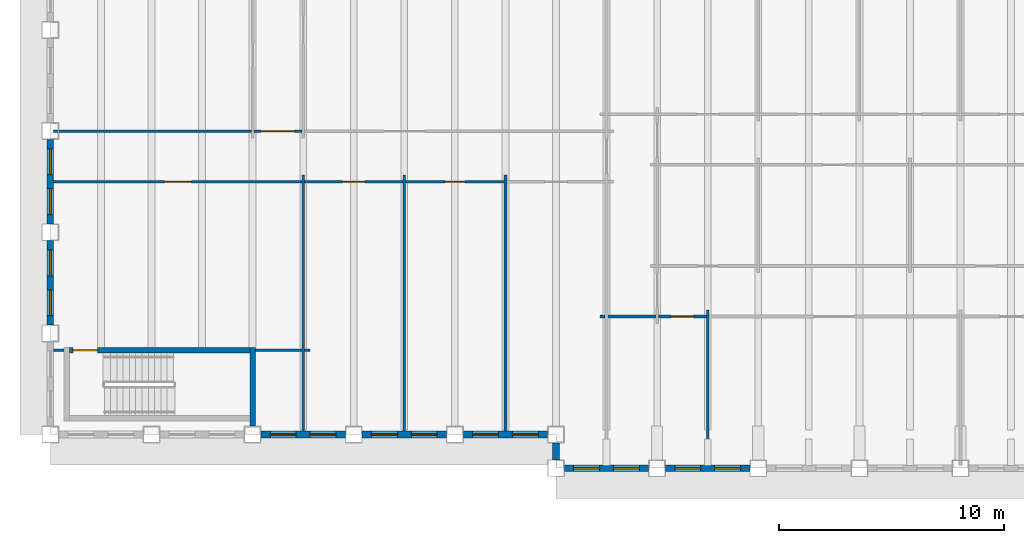
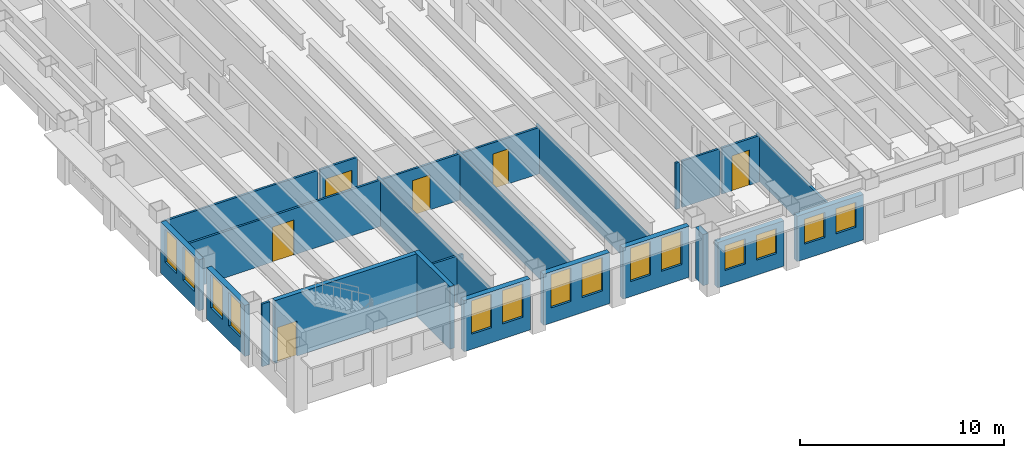
# One storey, part 3 of 16: 25 walls, 14 windows, 6 doors, 20 openings.
"""IFC4 building model written with IfcOpenShell, lengths in metres."""

from ifc_helpers import new_model, si_unit, direction, frame, frame_2d, origin, place, context, subcontext, project, spatial, rectangle, extrude, material, layer, layer_set, type_object, element, fill, save


model = new_model("IFC4")

# Units and contexts
model_context = context("Model", 3, precision=1e-05, world=origin(), true_north=direction((0.0, 1.0)))
body_context = subcontext(model_context, "Body", "Model", "MODEL_VIEW")
ifc_project = project(units=[si_unit("LENGTHUNIT", "METRE"), si_unit("AREAUNIT", "SQUARE_METRE"), si_unit("VOLUMEUNIT", "CUBIC_METRE"), si_unit("PLANEANGLEUNIT", "RADIAN"), si_unit("MASSUNIT", "GRAM", prefix="KILO")], contexts=[model_context])

# Site, building, storey
site_placement = place(None, origin())
site = spatial("IfcSite", under=ifc_project, at=site_placement, CompositionType="ELEMENT")
building_placement = place(site_placement, origin())
building = spatial("IfcBuilding", under=site, at=building_placement, Name="Sennacour Bend Tower", CompositionType="ELEMENT")
storey_placement = place(building_placement, frame((0.0, 0.0, 239.0)))
storey = spatial("IfcBuildingStorey", under=building, at=storey_placement, Name="L55", CompositionType="ELEMENT", Elevation=239.0)

# Walls
ifc_material_1 = material(Name="Plasterboard partition on steel studs", Category="steel")
ifc_layer_1 = layer(ifc_material_1, 0.1201171875, Name="Plasterboard partition on steel studs", Category="steel")
ifc_layer_set_1 = layer_set([ifc_layer_1], Name="Plasterboard partition on steel studs")
wall_type_1 = type_object("IfcWallType", Name="Partition 120", PredefinedType="PARTITIONING", material=ifc_layer_set_1)
for number, where, z_axis, x_axis, name in (
    (1, (11.25, 0.14990234375, 0.0), (0.0, 0.0, 1.0), (0.0, 1.0, 0.0), "P-L55-W012a"),
    (2, (15.75, 0.14990234375, 0.0), (0.0, 0.0, 1.0), (0.0, 1.0, 0.0), "P-L55-W017a"),
    (3, (20.25, 0.14990234375, 0.0), (0.0, 0.0, 1.0), (0.0, 1.0, 0.0), "P-L55-W021a"),
):
    element("IfcWall", number, at=place(storey_placement, frame(where, z_axis=z_axis, x_axis=x_axis)), inside=storey, type_object=wall_type_1, Name=name, PredefinedType="PARTITIONING", context=body_context, shape_type="SweptSolid", body=[
        extrude(rectangle(XDim=11.400146484375, YDim=0.1201171875, at=frame_2d((5.7001953125, 0.0))), origin(), (0.0, 0.0, 1.0), 2.77001953125),
    ])
wall_1_placement = place(storey_placement, frame((29.25, -1.35009765625, 0.0), z_axis=(0.0, 0.0, 1.0), x_axis=(0.0, 1.0, 0.0)))
element("IfcWall", 4, at=wall_1_placement, inside=storey, type_object=wall_type_1, Name="P-L55-W025a", PredefinedType="PARTITIONING", context=body_context, shape_type="SweptSolid", body=[
    extrude(rectangle(XDim=6.900146484375, YDim=0.1201171875, at=frame_2d((3.4501953125, 0.0))), origin(), (0.0, 0.0, 1.0), 2.719970703125),
])
wall_2_placement = place(storey_placement, frame((0.14990234375, 3.75, 0.0), z_axis=(0.0, 0.0, 1.0), x_axis=(1.0, 0.0, 0.0)))
element("IfcWall", 5, at=wall_2_placement, inside=storey, type_object=wall_type_1, Name="P-L55-W051a", PredefinedType="PARTITIONING", context=body_context, shape_type="SweptSolid", body=[
    extrude(rectangle(XDim=0.4501953125, YDim=0.1201171875, at=frame_2d((0.22509765625, 0.0))), origin(), (0.0, 0.0, 1.0), 3.75),
])
wall_3_placement = place(storey_placement, frame((9.125, 3.75, 0.0), z_axis=(0.0, 0.0, 1.0), x_axis=(1.0, 0.0, 0.0)))
element("IfcWall", 6, at=wall_3_placement, inside=storey, type_object=wall_type_1, Name="P-L55-W053aa", PredefinedType="PARTITIONING", context=body_context, shape_type="SweptSolid", body=[
    extrude(rectangle(XDim=2.06494140625, YDim=0.1201171875, at=frame_2d((1.032470703125, 0.0))), origin(), (0.0, 0.0, 1.0), 2.77001953125),
])
for number, where, z_axis, x_axis, name in (
    (7, (11.31005859375, 3.75, 0.0), (0.0, 0.0, 1.0), (1.0, 0.0, 0.0), "P-L55-W053ab"),
    (8, (24.449951171875, 5.25, 0.0), (0.0, 0.0, 1.0), (1.0, 0.0, 0.0), "P-L55-W056aa"),
):
    element("IfcWall", number, at=place(storey_placement, frame(where, z_axis=z_axis, x_axis=x_axis)), inside=storey, type_object=wall_type_1, Name=name, PredefinedType="PARTITIONING", context=body_context, shape_type="SweptSolid", body=[
        extrude(rectangle(XDim=0.239990234375, YDim=0.1201171875, at=frame_2d((0.1201171875, 0.0))), origin(), (0.0, 0.0, 1.0), 2.77001953125),
    ])
wall_4_placement = place(storey_placement, frame((24.81005859375, 5.25, 0.0), z_axis=(0.0, 0.0, 1.0), x_axis=(1.0, 0.0, 0.0)))
element("IfcWall", 9, at=wall_4_placement, inside=storey, type_object=wall_type_1, Name="P-L55-W056ab", PredefinedType="PARTITIONING", context=body_context, shape_type="SweptSolid", body=[
    extrude(rectangle(XDim=2.1298828125, YDim=0.1201171875, at=frame_2d((1.06494140625, 0.0))), origin(), (0.0, 0.0, 1.0), 2.77001953125),
])

# Wall, opening, door
wall_5_placement = place(storey_placement, frame((27.06005859375, 5.25, 0.0), z_axis=(0.0, 0.0, 1.0), x_axis=(1.0, 0.0, 0.0)))
wall_5 = element("IfcWall", 10, at=wall_5_placement, inside=storey, type_object=wall_type_1, Name="P-L55-W056ac", PredefinedType="PARTITIONING", context=body_context, shape_type="SweptSolid", body=[
    extrude(rectangle(XDim=2.1298828125, YDim=0.1201171875, at=frame_2d((1.06494140625, 0.0))), origin(), (0.0, 0.0, 1.0), 2.77001953125),
])
opening_1_placement = place(wall_5_placement, frame((0.56494140625, 0.0, 0.0)))
opening_1 = element("IfcOpeningElement", 11, at=opening_1_placement, cuts=wall_5, Name="Opening OD2", PredefinedType="OPENING", context=body_context, shape_type="SweptSolid", body=[
    extrude(rectangle(XDim=1.0, YDim=2.10009765625, at=frame_2d((0.5, 1.050048828125))), frame((0.0, 0.070068359375, 0.0), z_axis=(0.0, -1.0, 0.0), x_axis=(1.0, 0.0, 0.0)), (0.0, 0.0, 1.0), 0.14013671875),
])
ifc_material_2 = material(Name="Timber", Category="wood")
door_type_1 = type_object("IfcDoorType", Name="DR-OFFICE-1000", OperationType="NOTDEFINED", PredefinedType="DOOR", material=ifc_material_2)
door_1_placement = place(opening_1_placement, origin())
door_1 = element("IfcDoor", 12, at=door_1_placement, inside=storey, type_object=door_type_1, Name="Door", OperationType="SINGLE_SWING_LEFT", OverallHeight=2.10009765625, OverallWidth=1.0, PredefinedType="DOOR", context=body_context, shape_type="SweptSolid", body=[
    extrude(rectangle(XDim=1.0, YDim=2.10009765625, at=frame_2d((0.5, 1.050048828125))), frame((0.0, 0.02490234375, 0.0), z_axis=(0.0, -1.0, 0.0), x_axis=(1.0, 0.0, 0.0)), (0.0, 0.0, 1.0), 0.050048828125),
])
fill(opening_1, door_1)

wall_6_placement = place(storey_placement, frame((11.31005859375, 11.25, 0.0), z_axis=(0.0, 0.0, 1.0), x_axis=(1.0, 0.0, 0.0)))
wall_6 = element("IfcWall", 13, at=wall_6_placement, inside=storey, type_object=wall_type_1, Name="P-L55-W062ab", PredefinedType="PARTITIONING", context=body_context, shape_type="SweptSolid", body=[
    extrude(rectangle(XDim=4.3798828125, YDim=0.1201171875, at=frame_2d((2.18994140625, 0.0))), origin(), (0.0, 0.0, 1.0), 2.77001953125),
])
opening_2_placement = place(wall_6_placement, frame((1.68994140625, 0.0, 0.0)))
opening_2 = element("IfcOpeningElement", 14, at=opening_2_placement, cuts=wall_6, Name="Opening OD2", PredefinedType="OPENING", context=body_context, shape_type="SweptSolid", body=[
    extrude(rectangle(XDim=1.0, YDim=2.10009765625, at=frame_2d((0.5, 1.050048828125))), frame((0.0, 0.070068359375, 0.0), z_axis=(0.0, -1.0, 0.0), x_axis=(1.0, 0.0, 0.0)), (0.0, 0.0, 1.0), 0.14013671875),
])
door_2_placement = place(opening_2_placement, origin())
door_2 = element("IfcDoor", 15, at=door_2_placement, inside=storey, type_object=door_type_1, Name="Door", OperationType="SINGLE_SWING_LEFT", OverallHeight=2.10009765625, OverallWidth=1.0, PredefinedType="DOOR", context=body_context, shape_type="SweptSolid", body=[
    extrude(rectangle(XDim=1.0, YDim=2.10009765625, at=frame_2d((0.5, 1.050048828125))), frame((0.0, 0.02490234375, 0.0), z_axis=(0.0, -1.0, 0.0), x_axis=(1.0, 0.0, 0.0)), (0.0, 0.0, 1.0), 0.050048828125),
])
fill(opening_2, door_2)

# Wall
wall_7_placement = place(storey_placement, frame((0.14990234375, 13.5, 0.0), z_axis=(0.0, 0.0, 1.0), x_axis=(1.0, 0.0, 0.0)))
element("IfcWall", 16, at=wall_7_placement, inside=storey, type_object=wall_type_1, Name="P-L55-W065aa", PredefinedType="PARTITIONING", context=body_context, shape_type="SweptSolid", body=[
    extrude(rectangle(XDim=8.7900390625, YDim=0.1201171875, at=frame_2d((4.39501953125, 0.0))), origin(), (0.0, 0.0, 1.0), 2.77001953125),
])

# Wall, opening, door
ifc_layer_2 = layer(ifc_material_1, 0.1201171875, Name="Plasterboard partition on steel studs", Category="steel")
ifc_layer_set_2 = layer_set([ifc_layer_2], Name="Plasterboard partition on steel studs")
wall_type_2 = type_object("IfcWallType", Name="Partition 120 EI 30", PredefinedType="PARTITIONING", material=ifc_layer_set_2)
wall_8_placement = place(storey_placement, frame((0.14990234375, 11.25, 0.0), z_axis=(0.0, 0.0, 1.0), x_axis=(1.0, 0.0, 0.0)))
wall_8 = element("IfcWall", 17, at=wall_8_placement, inside=storey, type_object=wall_type_2, Name="P-L55-W062aa", PredefinedType="PARTITIONING", context=body_context, shape_type="SweptSolid", body=[
    extrude(rectangle(XDim=11.0400390625, YDim=0.1201171875, at=frame_2d((5.52001953125, 0.0))), origin(), (0.0, 0.0, 1.0), 2.77001953125),
])
opening_3_placement = place(wall_8_placement, frame((4.93017578125, 0.0, 0.0)))
opening_3 = element("IfcOpeningElement", 18, at=opening_3_placement, cuts=wall_8, Name="Opening KD2", PredefinedType="OPENING", context=body_context, shape_type="SweptSolid", body=[
    extrude(rectangle(XDim=1.199951171875, YDim=2.10009765625, at=frame_2d((0.60009765625, 1.050048828125))), frame((0.0, 0.070068359375, 0.0), z_axis=(0.0, -1.0, 0.0), x_axis=(1.0, 0.0, 0.0)), (0.0, 0.0, 1.0), 0.14013671875),
])
ifc_material_3 = material(Name="Painted steel", Category="steel")
door_type_2 = type_object("IfcDoorType", Name="DR-CORRIDOR-1200", OperationType="NOTDEFINED", PredefinedType="DOOR", material=ifc_material_3)
door_3_placement = place(opening_3_placement, origin())
door_3 = element("IfcDoor", 19, at=door_3_placement, inside=storey, type_object=door_type_2, Name="Door", OperationType="SINGLE_SWING_LEFT", OverallHeight=2.10009765625, OverallWidth=1.199951171875, PredefinedType="DOOR", context=body_context, shape_type="SweptSolid", body=[
    extrude(rectangle(XDim=1.199951171875, YDim=2.10009765625, at=frame_2d((0.60009765625, 1.050048828125))), frame((0.0, 0.02490234375, 0.0), z_axis=(0.0, -1.0, 0.0), x_axis=(1.0, 0.0, 0.0)), (0.0, 0.0, 1.0), 0.050048828125),
])
fill(opening_3, door_3)

wall_9_placement = place(storey_placement, frame((9.06005859375, 13.5, 0.0), z_axis=(0.0, 0.0, 1.0), x_axis=(1.0, 0.0, 0.0)))
wall_9 = element("IfcWall", 20, at=wall_9_placement, inside=storey, type_object=wall_type_2, Name="P-L55-W065ab", PredefinedType="PARTITIONING", context=body_context, shape_type="SweptSolid", body=[
    extrude(rectangle(XDim=2.1298828125, YDim=0.1201171875, at=frame_2d((1.06494140625, 0.0))), origin(), (0.0, 0.0, 1.0), 2.77001953125),
])
opening_4_placement = place(wall_9_placement, frame((0.31494140625, 0.0, 0.0)))
opening_4 = element("IfcOpeningElement", 21, at=opening_4_placement, cuts=wall_9, Name="Opening KD", PredefinedType="OPENING", context=body_context, shape_type="SweptSolid", body=[
    extrude(rectangle(XDim=1.5, YDim=2.10009765625, at=frame_2d((0.75, 1.050048828125))), frame((0.0, 0.070068359375, 0.0), z_axis=(0.0, -1.0, 0.0), x_axis=(1.0, 0.0, 0.0)), (0.0, 0.0, 1.0), 0.14013671875),
])
door_type_3 = type_object("IfcDoorType", Name="DR-CORRIDOR-1500", OperationType="NOTDEFINED", PredefinedType="DOOR", material=ifc_material_3)
door_4_placement = place(opening_4_placement, origin())
door_4 = element("IfcDoor", 22, at=door_4_placement, inside=storey, type_object=door_type_3, Name="Door", OperationType="SINGLE_SWING_LEFT", OverallHeight=2.10009765625, OverallWidth=1.5, PredefinedType="DOOR", context=body_context, shape_type="SweptSolid", body=[
    extrude(rectangle(XDim=1.5, YDim=2.10009765625, at=frame_2d((0.75, 1.050048828125))), frame((0.0, 0.02490234375, 0.0), z_axis=(0.0, -1.0, 0.0), x_axis=(1.0, 0.0, 0.0)), (0.0, 0.0, 1.0), 0.050048828125),
])
fill(opening_4, door_4)

ifc_layer_3 = layer(ifc_material_1, 0.1201171875, Name="Plasterboard partition on steel studs", Category="steel")
ifc_layer_set_3 = layer_set([ifc_layer_3], Name="Plasterboard partition on steel studs")
wall_type_3 = type_object("IfcWallType", Name="Partition 120 EI 60", PredefinedType="PARTITIONING", material=ifc_layer_set_3)
wall_10_placement = place(storey_placement, frame((15.81005859375, 11.25, 0.0), z_axis=(0.0, 0.0, 1.0), x_axis=(1.0, 0.0, 0.0)))
wall_10 = element("IfcWall", 23, at=wall_10_placement, inside=storey, type_object=wall_type_3, Name="P-L55-W062ac", PredefinedType="PARTITIONING", context=body_context, shape_type="SweptSolid", body=[
    extrude(rectangle(XDim=4.3798828125, YDim=0.1201171875, at=frame_2d((2.18994140625, 0.0))), origin(), (0.0, 0.0, 1.0), 2.77001953125),
])
opening_5_placement = place(wall_10_placement, frame((1.739990234375, 0.0, 0.0)))
opening_5 = element("IfcOpeningElement", 24, at=opening_5_placement, cuts=wall_10, Name="Opening SV", PredefinedType="OPENING", context=body_context, shape_type="SweptSolid", body=[
    extrude(rectangle(XDim=0.89990234375, YDim=2.10009765625, at=frame_2d((0.449951171875, 1.050048828125))), frame((0.0, 0.070068359375, 0.0), z_axis=(0.0, -1.0, 0.0), x_axis=(1.0, 0.0, 0.0)), (0.0, 0.0, 1.0), 0.14013671875),
])
door_type_4 = type_object("IfcDoorType", Name="DR-SERVICE-900", OperationType="NOTDEFINED", PredefinedType="DOOR", material=ifc_material_3)
door_5_placement = place(opening_5_placement, origin())
door_5 = element("IfcDoor", 25, at=door_5_placement, inside=storey, type_object=door_type_4, Name="Door", OperationType="SINGLE_SWING_LEFT", OverallHeight=2.10009765625, OverallWidth=0.89990234375, PredefinedType="DOOR", context=body_context, shape_type="SweptSolid", body=[
    extrude(rectangle(XDim=0.89990234375, YDim=2.10009765625, at=frame_2d((0.449951171875, 1.050048828125))), frame((0.0, 0.02490234375, 0.0), z_axis=(0.0, -1.0, 0.0), x_axis=(1.0, 0.0, 0.0)), (0.0, 0.0, 1.0), 0.050048828125),
])
fill(opening_5, door_5)

# Wall, openings, windows
ifc_material_4 = material(Name="Warm limestone cladding", Category="masonry")
ifc_layer_4 = layer(ifc_material_4, 0.050048828125, Name="Warm limestone cladding", Category="masonry")
ifc_material_5 = material(Name="Precast concrete C40/50", Category="concrete")
ifc_layer_5 = layer(ifc_material_5, 0.25, Name="Precast concrete C40/50", Category="concrete")
ifc_layer_set_4 = layer_set([ifc_layer_4, ifc_layer_5], Name="Precast concrete C40/50 with limestone cladding")
wall_type_4 = type_object("IfcWallType", Name="STONE-CLAD PRECAST SPANDREL 300", PredefinedType="STANDARD", material=ifc_layer_set_4)
wall_11_placement = place(storey_placement, frame((22.875, -1.5, 0.0), z_axis=(0.0, 0.0, 1.0), x_axis=(1.0, 0.0, 0.0)))
wall_11 = element("IfcWall", 26, at=wall_11_placement, inside=storey, type_object=wall_type_4, Name="Stone spandrel and pier wall L55 00.00", PredefinedType="STANDARD", context=body_context, shape_type="SweptSolid", body=[
    extrude(rectangle(XDim=3.75, YDim=0.300048828125, at=frame_2d((1.875, 0.0))), origin(), (0.0, 0.0, 1.0), 2.719970703125),
])
opening_6_placement = place(wall_11_placement, frame((0.41259765625, 0.0, 0.89990234375)))
opening_6 = element("IfcOpeningElement", 27, at=opening_6_placement, cuts=wall_11, Name="Opening W22", PredefinedType="OPENING", context=body_context, shape_type="SweptSolid", body=[
    extrude(rectangle(XDim=1.14990234375, YDim=1.5, at=frame_2d((0.574951171875, 0.75))), frame((0.0, 0.16015625, 0.0), z_axis=(0.0, -1.0, 0.0), x_axis=(1.0, 0.0, 0.0)), (0.0, 0.0, 1.0), 0.320068359375),
])
opening_7_placement = place(wall_11_placement, frame((2.1875, 0.0, 0.89990234375)))
opening_7 = element("IfcOpeningElement", 28, at=opening_7_placement, cuts=wall_11, Name="Opening W22", PredefinedType="OPENING", context=body_context, shape_type="SweptSolid", body=[
    extrude(rectangle(XDim=1.14990234375, YDim=1.5, at=frame_2d((0.574951171875, 0.75))), frame((0.0, 0.16015625, 0.0), z_axis=(0.0, -1.0, 0.0), x_axis=(1.0, 0.0, 0.0)), (0.0, 0.0, 1.0), 0.320068359375),
])
ifc_material_6 = material(Name="Clear low-emissivity glass", Category="glass")
window_type_1 = type_object("IfcWindowType", Name="WIN-RIBBON-1150x1500", PartitioningType="SINGLE_PANEL", PredefinedType="WINDOW", material=ifc_material_6)
window_1_placement = place(opening_6_placement, origin())
window_1 = element("IfcWindow", 29, at=window_1_placement, inside=storey, type_object=window_type_1, Name="Ribbon window L55 00.00.0", OverallHeight=1.5, OverallWidth=1.14990234375, PartitioningType="SINGLE_PANEL", PredefinedType="WINDOW", context=body_context, shape_type="SweptSolid", body=[
    extrude(rectangle(XDim=1.14990234375, YDim=1.5, at=frame_2d((0.574951171875, 0.75))), frame((0.0, 0.030029296875, 0.0), z_axis=(0.0, -1.0, 0.0), x_axis=(1.0, 0.0, 0.0)), (0.0, 0.0, 1.0), 0.06005859375),
])
fill(opening_6, window_1)
window_2_placement = place(opening_7_placement, origin())
window_2 = element("IfcWindow", 30, at=window_2_placement, inside=storey, type_object=window_type_1, Name="Ribbon window L55 00.00.1", OverallHeight=1.5, OverallWidth=1.14990234375, PartitioningType="SINGLE_PANEL", PredefinedType="WINDOW", context=body_context, shape_type="SweptSolid", body=[
    extrude(rectangle(XDim=1.14990234375, YDim=1.5, at=frame_2d((0.574951171875, 0.75))), frame((0.0, 0.030029296875, 0.0), z_axis=(0.0, -1.0, 0.0), x_axis=(1.0, 0.0, 0.0)), (0.0, 0.0, 1.0), 0.06005859375),
])
fill(opening_7, window_2)

wall_12_placement = place(storey_placement, frame((27.375, -1.5, 0.0), z_axis=(0.0, 0.0, 1.0), x_axis=(1.0, 0.0, 0.0)))
wall_12 = element("IfcWall", 31, at=wall_12_placement, inside=storey, type_object=wall_type_4, Name="Stone spandrel and pier wall L55 00.01", PredefinedType="STANDARD", context=body_context, shape_type="SweptSolid", body=[
    extrude(rectangle(XDim=3.75, YDim=0.300048828125, at=frame_2d((1.875, 0.0))), origin(), (0.0, 0.0, 1.0), 2.719970703125),
])
opening_8_placement = place(wall_12_placement, frame((0.41259765625, 0.0, 0.89990234375)))
opening_8 = element("IfcOpeningElement", 32, at=opening_8_placement, cuts=wall_12, Name="Opening W22", PredefinedType="OPENING", context=body_context, shape_type="SweptSolid", body=[
    extrude(rectangle(XDim=1.14990234375, YDim=1.5, at=frame_2d((0.574951171875, 0.75))), frame((0.0, 0.16015625, 0.0), z_axis=(0.0, -1.0, 0.0), x_axis=(1.0, 0.0, 0.0)), (0.0, 0.0, 1.0), 0.320068359375),
])
opening_9_placement = place(wall_12_placement, frame((2.1875, 0.0, 0.89990234375)))
opening_9 = element("IfcOpeningElement", 33, at=opening_9_placement, cuts=wall_12, Name="Opening W22", PredefinedType="OPENING", context=body_context, shape_type="SweptSolid", body=[
    extrude(rectangle(XDim=1.14990234375, YDim=1.5, at=frame_2d((0.574951171875, 0.75))), frame((0.0, 0.16015625, 0.0), z_axis=(0.0, -1.0, 0.0), x_axis=(1.0, 0.0, 0.0)), (0.0, 0.0, 1.0), 0.320068359375),
])
window_3_placement = place(opening_8_placement, origin())
window_3 = element("IfcWindow", 34, at=window_3_placement, inside=storey, type_object=window_type_1, Name="Ribbon window L55 00.01.0", OverallHeight=1.5, OverallWidth=1.14990234375, PartitioningType="SINGLE_PANEL", PredefinedType="WINDOW", context=body_context, shape_type="SweptSolid", body=[
    extrude(rectangle(XDim=1.14990234375, YDim=1.5, at=frame_2d((0.574951171875, 0.75))), frame((0.0, 0.030029296875, 0.0), z_axis=(0.0, -1.0, 0.0), x_axis=(1.0, 0.0, 0.0)), (0.0, 0.0, 1.0), 0.06005859375),
])
fill(opening_8, window_3)
window_4_placement = place(opening_9_placement, origin())
window_4 = element("IfcWindow", 35, at=window_4_placement, inside=storey, type_object=window_type_1, Name="Ribbon window L55 00.01.1", OverallHeight=1.5, OverallWidth=1.14990234375, PartitioningType="SINGLE_PANEL", PredefinedType="WINDOW", context=body_context, shape_type="SweptSolid", body=[
    extrude(rectangle(XDim=1.14990234375, YDim=1.5, at=frame_2d((0.574951171875, 0.75))), frame((0.0, 0.030029296875, 0.0), z_axis=(0.0, -1.0, 0.0), x_axis=(1.0, 0.0, 0.0)), (0.0, 0.0, 1.0), 0.06005859375),
])
fill(opening_9, window_4)

wall_13_placement = place(storey_placement, frame((0.0, 13.125, 0.0), z_axis=(0.0, 0.0, 1.0), x_axis=(0.0, -1.0, 0.0)))
wall_13 = element("IfcWall", 36, at=wall_13_placement, inside=storey, type_object=wall_type_4, Name="Stone spandrel and pier wall L55 21.02", PredefinedType="STANDARD", context=body_context, shape_type="SweptSolid", body=[
    extrude(rectangle(XDim=3.75, YDim=0.300048828125, at=frame_2d((1.875, 0.0))), origin(), (0.0, 0.0, 1.0), 3.056884765625),
])
opening_10_placement = place(wall_13_placement, frame((0.41259765625, 0.0, 0.89990234375)))
opening_10 = element("IfcOpeningElement", 37, at=opening_10_placement, cuts=wall_13, Name="Opening W24", PredefinedType="OPENING", context=body_context, shape_type="SweptSolid", body=[
    extrude(rectangle(XDim=1.14990234375, YDim=2.0, at=frame_2d((0.574951171875, 1.0))), frame((0.0, 0.16015625, 0.0), z_axis=(0.0, -1.0, 0.0), x_axis=(1.0, 0.0, 0.0)), (0.0, 0.0, 1.0), 0.320068359375),
])
opening_11_placement = place(wall_13_placement, frame((2.1875, 0.0, 0.89990234375)))
opening_11 = element("IfcOpeningElement", 38, at=opening_11_placement, cuts=wall_13, Name="Opening W24", PredefinedType="OPENING", context=body_context, shape_type="SweptSolid", body=[
    extrude(rectangle(XDim=1.14990234375, YDim=2.0, at=frame_2d((0.574951171875, 1.0))), frame((0.0, 0.16015625, 0.0), z_axis=(0.0, -1.0, 0.0), x_axis=(1.0, 0.0, 0.0)), (0.0, 0.0, 1.0), 0.320068359375),
])
window_type_2 = type_object("IfcWindowType", Name="WIN-RIBBON-1150x2000", PartitioningType="SINGLE_PANEL", PredefinedType="WINDOW", material=ifc_material_6)
window_5_placement = place(opening_10_placement, origin())
window_5 = element("IfcWindow", 39, at=window_5_placement, inside=storey, type_object=window_type_2, Name="Ribbon window L55 21.02.0", OverallHeight=2.0, OverallWidth=1.14990234375, PartitioningType="SINGLE_PANEL", PredefinedType="WINDOW", context=body_context, shape_type="SweptSolid", body=[
    extrude(rectangle(XDim=1.14990234375, YDim=2.0, at=frame_2d((0.574951171875, 1.0))), frame((0.0, 0.030029296875, 0.0), z_axis=(0.0, -1.0, 0.0), x_axis=(1.0, 0.0, 0.0)), (0.0, 0.0, 1.0), 0.06005859375),
])
fill(opening_10, window_5)
window_6_placement = place(opening_11_placement, origin())
window_6 = element("IfcWindow", 40, at=window_6_placement, inside=storey, type_object=window_type_2, Name="Ribbon window L55 21.02.1", OverallHeight=2.0, OverallWidth=1.14990234375, PartitioningType="SINGLE_PANEL", PredefinedType="WINDOW", context=body_context, shape_type="SweptSolid", body=[
    extrude(rectangle(XDim=1.14990234375, YDim=2.0, at=frame_2d((0.574951171875, 1.0))), frame((0.0, 0.030029296875, 0.0), z_axis=(0.0, -1.0, 0.0), x_axis=(1.0, 0.0, 0.0)), (0.0, 0.0, 1.0), 0.06005859375),
])
fill(opening_11, window_6)

wall_14_placement = place(storey_placement, frame((0.0, 8.625, 0.0), z_axis=(0.0, 0.0, 1.0), x_axis=(0.0, -1.0, 0.0)))
wall_14 = element("IfcWall", 41, at=wall_14_placement, inside=storey, type_object=wall_type_4, Name="Stone spandrel and pier wall L55 21.03", PredefinedType="STANDARD", context=body_context, shape_type="SweptSolid", body=[
    extrude(rectangle(XDim=3.75, YDim=0.300048828125, at=frame_2d((1.875, 0.0))), origin(), (0.0, 0.0, 1.0), 3.056884765625),
])
opening_12_placement = place(wall_14_placement, frame((0.41259765625, 0.0, 0.89990234375)))
opening_12 = element("IfcOpeningElement", 42, at=opening_12_placement, cuts=wall_14, Name="Opening W24", PredefinedType="OPENING", context=body_context, shape_type="SweptSolid", body=[
    extrude(rectangle(XDim=1.14990234375, YDim=2.0, at=frame_2d((0.574951171875, 1.0))), frame((0.0, 0.16015625, 0.0), z_axis=(0.0, -1.0, 0.0), x_axis=(1.0, 0.0, 0.0)), (0.0, 0.0, 1.0), 0.320068359375),
])
opening_13_placement = place(wall_14_placement, frame((2.1875, 0.0, 0.89990234375)))
opening_13 = element("IfcOpeningElement", 43, at=opening_13_placement, cuts=wall_14, Name="Opening W24", PredefinedType="OPENING", context=body_context, shape_type="SweptSolid", body=[
    extrude(rectangle(XDim=1.14990234375, YDim=2.0, at=frame_2d((0.574951171875, 1.0))), frame((0.0, 0.16015625, 0.0), z_axis=(0.0, -1.0, 0.0), x_axis=(1.0, 0.0, 0.0)), (0.0, 0.0, 1.0), 0.320068359375),
])
window_7_placement = place(opening_12_placement, origin())
window_7 = element("IfcWindow", 44, at=window_7_placement, inside=storey, type_object=window_type_2, Name="Ribbon window L55 21.03.0", OverallHeight=2.0, OverallWidth=1.14990234375, PartitioningType="SINGLE_PANEL", PredefinedType="WINDOW", context=body_context, shape_type="SweptSolid", body=[
    extrude(rectangle(XDim=1.14990234375, YDim=2.0, at=frame_2d((0.574951171875, 1.0))), frame((0.0, 0.030029296875, 0.0), z_axis=(0.0, -1.0, 0.0), x_axis=(1.0, 0.0, 0.0)), (0.0, 0.0, 1.0), 0.06005859375),
])
fill(opening_12, window_7)
window_8_placement = place(opening_13_placement, origin())
window_8 = element("IfcWindow", 45, at=window_8_placement, inside=storey, type_object=window_type_2, Name="Ribbon window L55 21.03.1", OverallHeight=2.0, OverallWidth=1.14990234375, PartitioningType="SINGLE_PANEL", PredefinedType="WINDOW", context=body_context, shape_type="SweptSolid", body=[
    extrude(rectangle(XDim=1.14990234375, YDim=2.0, at=frame_2d((0.574951171875, 1.0))), frame((0.0, 0.030029296875, 0.0), z_axis=(0.0, -1.0, 0.0), x_axis=(1.0, 0.0, 0.0)), (0.0, 0.0, 1.0), 0.06005859375),
])
fill(opening_13, window_8)

wall_15_placement = place(storey_placement, frame((9.375, 0.0, 0.0), z_axis=(0.0, 0.0, 1.0), x_axis=(1.0, 0.0, 0.0)))
wall_15 = element("IfcWall", 46, at=wall_15_placement, inside=storey, type_object=wall_type_4, Name="Stone spandrel and pier wall L55 22.02", PredefinedType="STANDARD", context=body_context, shape_type="SweptSolid", body=[
    extrude(rectangle(XDim=3.75, YDim=0.300048828125, at=frame_2d((1.875, 0.0))), origin(), (0.0, 0.0, 1.0), 3.056884765625),
])
opening_14_placement = place(wall_15_placement, frame((0.41259765625, 0.0, 0.89990234375)))
opening_14 = element("IfcOpeningElement", 47, at=opening_14_placement, cuts=wall_15, Name="Opening W24", PredefinedType="OPENING", context=body_context, shape_type="SweptSolid", body=[
    extrude(rectangle(XDim=1.14990234375, YDim=2.0, at=frame_2d((0.574951171875, 1.0))), frame((0.0, 0.16015625, 0.0), z_axis=(0.0, -1.0, 0.0), x_axis=(1.0, 0.0, 0.0)), (0.0, 0.0, 1.0), 0.320068359375),
])
opening_15_placement = place(wall_15_placement, frame((2.1875, 0.0, 0.89990234375)))
opening_15 = element("IfcOpeningElement", 48, at=opening_15_placement, cuts=wall_15, Name="Opening W24", PredefinedType="OPENING", context=body_context, shape_type="SweptSolid", body=[
    extrude(rectangle(XDim=1.14990234375, YDim=2.0, at=frame_2d((0.574951171875, 1.0))), frame((0.0, 0.16015625, 0.0), z_axis=(0.0, -1.0, 0.0), x_axis=(1.0, 0.0, 0.0)), (0.0, 0.0, 1.0), 0.320068359375),
])
window_9_placement = place(opening_14_placement, origin())
window_9 = element("IfcWindow", 49, at=window_9_placement, inside=storey, type_object=window_type_2, Name="Ribbon window L55 22.02.0", OverallHeight=2.0, OverallWidth=1.14990234375, PartitioningType="SINGLE_PANEL", PredefinedType="WINDOW", context=body_context, shape_type="SweptSolid", body=[
    extrude(rectangle(XDim=1.14990234375, YDim=2.0, at=frame_2d((0.574951171875, 1.0))), frame((0.0, 0.030029296875, 0.0), z_axis=(0.0, -1.0, 0.0), x_axis=(1.0, 0.0, 0.0)), (0.0, 0.0, 1.0), 0.06005859375),
])
fill(opening_14, window_9)
window_10_placement = place(opening_15_placement, origin())
window_10 = element("IfcWindow", 50, at=window_10_placement, inside=storey, type_object=window_type_2, Name="Ribbon window L55 22.02.1", OverallHeight=2.0, OverallWidth=1.14990234375, PartitioningType="SINGLE_PANEL", PredefinedType="WINDOW", context=body_context, shape_type="SweptSolid", body=[
    extrude(rectangle(XDim=1.14990234375, YDim=2.0, at=frame_2d((0.574951171875, 1.0))), frame((0.0, 0.030029296875, 0.0), z_axis=(0.0, -1.0, 0.0), x_axis=(1.0, 0.0, 0.0)), (0.0, 0.0, 1.0), 0.06005859375),
])
fill(opening_15, window_10)

wall_16_placement = place(storey_placement, frame((13.875, 0.0, 0.0), z_axis=(0.0, 0.0, 1.0), x_axis=(1.0, 0.0, 0.0)))
wall_16 = element("IfcWall", 51, at=wall_16_placement, inside=storey, type_object=wall_type_4, Name="Stone spandrel and pier wall L55 22.03", PredefinedType="STANDARD", context=body_context, shape_type="SweptSolid", body=[
    extrude(rectangle(XDim=3.75, YDim=0.300048828125, at=frame_2d((1.875, 0.0))), origin(), (0.0, 0.0, 1.0), 3.056884765625),
])
opening_16_placement = place(wall_16_placement, frame((0.41259765625, 0.0, 0.89990234375)))
opening_16 = element("IfcOpeningElement", 52, at=opening_16_placement, cuts=wall_16, Name="Opening W24", PredefinedType="OPENING", context=body_context, shape_type="SweptSolid", body=[
    extrude(rectangle(XDim=1.14990234375, YDim=2.0, at=frame_2d((0.574951171875, 1.0))), frame((0.0, 0.16015625, 0.0), z_axis=(0.0, -1.0, 0.0), x_axis=(1.0, 0.0, 0.0)), (0.0, 0.0, 1.0), 0.320068359375),
])
opening_17_placement = place(wall_16_placement, frame((2.1875, 0.0, 0.89990234375)))
opening_17 = element("IfcOpeningElement", 53, at=opening_17_placement, cuts=wall_16, Name="Opening W24", PredefinedType="OPENING", context=body_context, shape_type="SweptSolid", body=[
    extrude(rectangle(XDim=1.14990234375, YDim=2.0, at=frame_2d((0.574951171875, 1.0))), frame((0.0, 0.16015625, 0.0), z_axis=(0.0, -1.0, 0.0), x_axis=(1.0, 0.0, 0.0)), (0.0, 0.0, 1.0), 0.320068359375),
])
window_11_placement = place(opening_16_placement, origin())
window_11 = element("IfcWindow", 54, at=window_11_placement, inside=storey, type_object=window_type_2, Name="Ribbon window L55 22.03.0", OverallHeight=2.0, OverallWidth=1.14990234375, PartitioningType="SINGLE_PANEL", PredefinedType="WINDOW", context=body_context, shape_type="SweptSolid", body=[
    extrude(rectangle(XDim=1.14990234375, YDim=2.0, at=frame_2d((0.574951171875, 1.0))), frame((0.0, 0.030029296875, 0.0), z_axis=(0.0, -1.0, 0.0), x_axis=(1.0, 0.0, 0.0)), (0.0, 0.0, 1.0), 0.06005859375),
])
fill(opening_16, window_11)
window_12_placement = place(opening_17_placement, origin())
window_12 = element("IfcWindow", 55, at=window_12_placement, inside=storey, type_object=window_type_2, Name="Ribbon window L55 22.03.1", OverallHeight=2.0, OverallWidth=1.14990234375, PartitioningType="SINGLE_PANEL", PredefinedType="WINDOW", context=body_context, shape_type="SweptSolid", body=[
    extrude(rectangle(XDim=1.14990234375, YDim=2.0, at=frame_2d((0.574951171875, 1.0))), frame((0.0, 0.030029296875, 0.0), z_axis=(0.0, -1.0, 0.0), x_axis=(1.0, 0.0, 0.0)), (0.0, 0.0, 1.0), 0.06005859375),
])
fill(opening_17, window_12)

wall_17_placement = place(storey_placement, frame((18.375, 0.0, 0.0), z_axis=(0.0, 0.0, 1.0), x_axis=(1.0, 0.0, 0.0)))
wall_17 = element("IfcWall", 56, at=wall_17_placement, inside=storey, type_object=wall_type_4, Name="Stone spandrel and pier wall L55 22.04", PredefinedType="STANDARD", context=body_context, shape_type="SweptSolid", body=[
    extrude(rectangle(XDim=3.75, YDim=0.300048828125, at=frame_2d((1.875, 0.0))), origin(), (0.0, 0.0, 1.0), 3.056884765625),
])
opening_18_placement = place(wall_17_placement, frame((0.41259765625, 0.0, 0.89990234375)))
opening_18 = element("IfcOpeningElement", 57, at=opening_18_placement, cuts=wall_17, Name="Opening W24", PredefinedType="OPENING", context=body_context, shape_type="SweptSolid", body=[
    extrude(rectangle(XDim=1.14990234375, YDim=2.0, at=frame_2d((0.574951171875, 1.0))), frame((0.0, 0.16015625, 0.0), z_axis=(0.0, -1.0, 0.0), x_axis=(1.0, 0.0, 0.0)), (0.0, 0.0, 1.0), 0.320068359375),
])
opening_19_placement = place(wall_17_placement, frame((2.1875, 0.0, 0.89990234375)))
opening_19 = element("IfcOpeningElement", 58, at=opening_19_placement, cuts=wall_17, Name="Opening W24", PredefinedType="OPENING", context=body_context, shape_type="SweptSolid", body=[
    extrude(rectangle(XDim=1.14990234375, YDim=2.0, at=frame_2d((0.574951171875, 1.0))), frame((0.0, 0.16015625, 0.0), z_axis=(0.0, -1.0, 0.0), x_axis=(1.0, 0.0, 0.0)), (0.0, 0.0, 1.0), 0.320068359375),
])
window_13_placement = place(opening_18_placement, origin())
window_13 = element("IfcWindow", 59, at=window_13_placement, inside=storey, type_object=window_type_2, Name="Ribbon window L55 22.04.0", OverallHeight=2.0, OverallWidth=1.14990234375, PartitioningType="SINGLE_PANEL", PredefinedType="WINDOW", context=body_context, shape_type="SweptSolid", body=[
    extrude(rectangle(XDim=1.14990234375, YDim=2.0, at=frame_2d((0.574951171875, 1.0))), frame((0.0, 0.030029296875, 0.0), z_axis=(0.0, -1.0, 0.0), x_axis=(1.0, 0.0, 0.0)), (0.0, 0.0, 1.0), 0.06005859375),
])
fill(opening_18, window_13)
window_14_placement = place(opening_19_placement, origin())
window_14 = element("IfcWindow", 60, at=window_14_placement, inside=storey, type_object=window_type_2, Name="Ribbon window L55 22.04.1", OverallHeight=2.0, OverallWidth=1.14990234375, PartitioningType="SINGLE_PANEL", PredefinedType="WINDOW", context=body_context, shape_type="SweptSolid", body=[
    extrude(rectangle(XDim=1.14990234375, YDim=2.0, at=frame_2d((0.574951171875, 1.0))), frame((0.0, 0.030029296875, 0.0), z_axis=(0.0, -1.0, 0.0), x_axis=(1.0, 0.0, 0.0)), (0.0, 0.0, 1.0), 0.06005859375),
])
fill(opening_19, window_14)

# Walls
wall_18_placement = place(storey_placement, frame((22.5, -0.375, 0.0), z_axis=(0.0, 0.0, 1.0), x_axis=(0.0, -1.0, 0.0)))
element("IfcWall", 61, at=wall_18_placement, inside=storey, type_object=wall_type_4, Name="Stone spandrel and pier wall L55 23.00", PredefinedType="STANDARD", context=body_context, shape_type="SweptSolid", body=[
    extrude(rectangle(XDim=0.75, YDim=0.300048828125, at=frame_2d((0.375, 0.0))), origin(), (0.0, 0.0, 1.0), 3.056884765625),
])
ifc_material_7 = material(Name="Concrete C60/75", Category="concrete")
ifc_layer_6 = layer(ifc_material_7, 0.25, Name="Concrete C60/75", Category="concrete")
ifc_layer_set_5 = layer_set([ifc_layer_6], Name="Concrete C60/75")
wall_type_5 = type_object("IfcWallType", Name="Stair wall 250", PredefinedType="SHEAR", material=ifc_layer_set_5)
wall_19_placement = place(storey_placement, frame((9.0, 0.375, 0.0), z_axis=(0.0, 0.0, 1.0), x_axis=(0.0, 1.0, 0.0)))
element("IfcWall", 62, at=wall_19_placement, inside=storey, type_object=wall_type_5, Name="P-L55-W009", PredefinedType="SHEAR", context=body_context, shape_type="SweptSolid", body=[
    extrude(rectangle(XDim=3.5, YDim=0.25, at=frame_2d((1.75, 0.0))), origin(), (0.0, 0.0, 1.0), 3.75),
])

# Wall, opening, door
wall_20_placement = place(storey_placement, frame((0.85009765625, 3.75, 0.0), z_axis=(0.0, 0.0, 1.0), x_axis=(1.0, 0.0, 0.0)))
wall_20 = element("IfcWall", 63, at=wall_20_placement, inside=storey, type_object=wall_type_5, Name="P-L55-W052", PredefinedType="SHEAR", context=body_context, shape_type="SweptSolid", body=[
    extrude(rectangle(XDim=8.02490234375, YDim=0.25, at=frame_2d((4.012451171875, 0.0))), origin(), (0.0, 0.0, 1.0), 3.75),
])
opening_20_placement = place(wall_20_placement, frame((0.14990234375, 0.0, 0.0)))
opening_20 = element("IfcOpeningElement", 64, at=opening_20_placement, cuts=wall_20, Name="Opening SD", PredefinedType="OPENING", context=body_context, shape_type="SweptSolid", body=[
    extrude(rectangle(XDim=1.10009765625, YDim=2.10009765625, at=frame_2d((0.550048828125, 1.050048828125))), frame((0.0, 0.135009765625, 0.0), z_axis=(0.0, -1.0, 0.0), x_axis=(1.0, 0.0, 0.0)), (0.0, 0.0, 1.0), 0.27001953125),
])
door_type_5 = type_object("IfcDoorType", Name="DR-STAIR-1100", OperationType="NOTDEFINED", PredefinedType="DOOR", material=ifc_material_3)
door_6_placement = place(opening_20_placement, origin())
door_6 = element("IfcDoor", 65, at=door_6_placement, inside=storey, type_object=door_type_5, Name="Door", OperationType="SINGLE_SWING_LEFT", OverallHeight=2.10009765625, OverallWidth=1.10009765625, PredefinedType="DOOR", context=body_context, shape_type="SweptSolid", body=[
    extrude(rectangle(XDim=1.10009765625, YDim=2.10009765625, at=frame_2d((0.550048828125, 1.050048828125))), frame((0.0, 0.02490234375, 0.0), z_axis=(0.0, -1.0, 0.0), x_axis=(1.0, 0.0, 0.0)), (0.0, 0.0, 1.0), 0.050048828125),
])
fill(opening_20, door_6)

save(model, "model.ifc")
